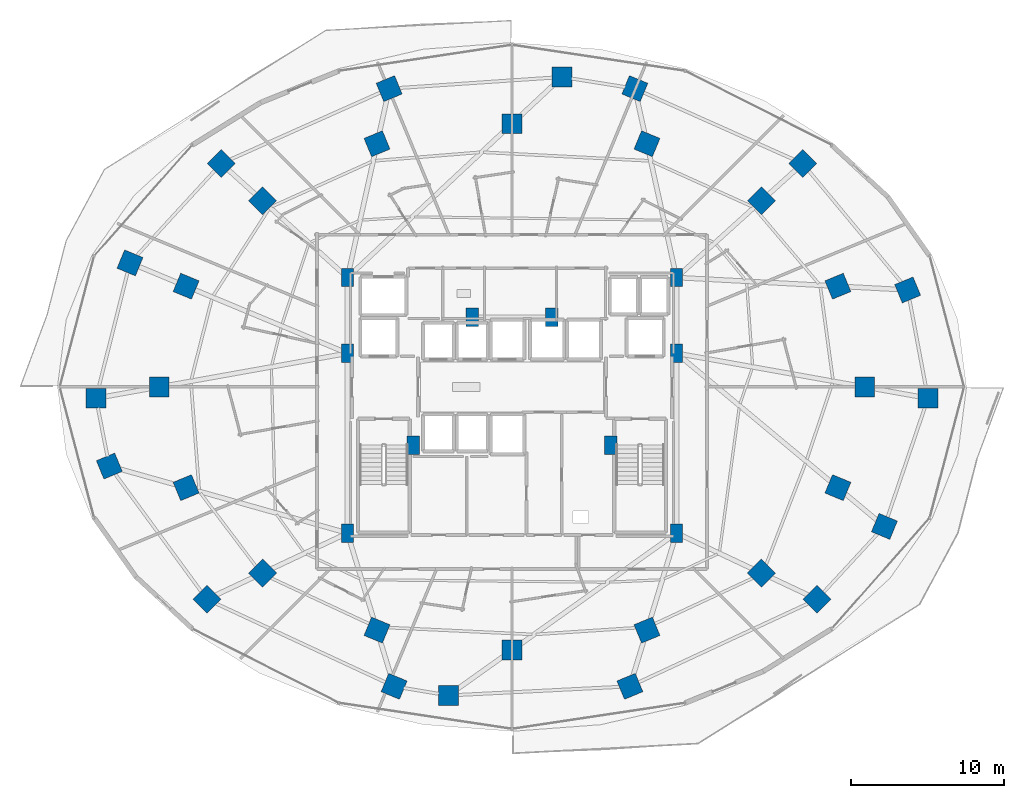
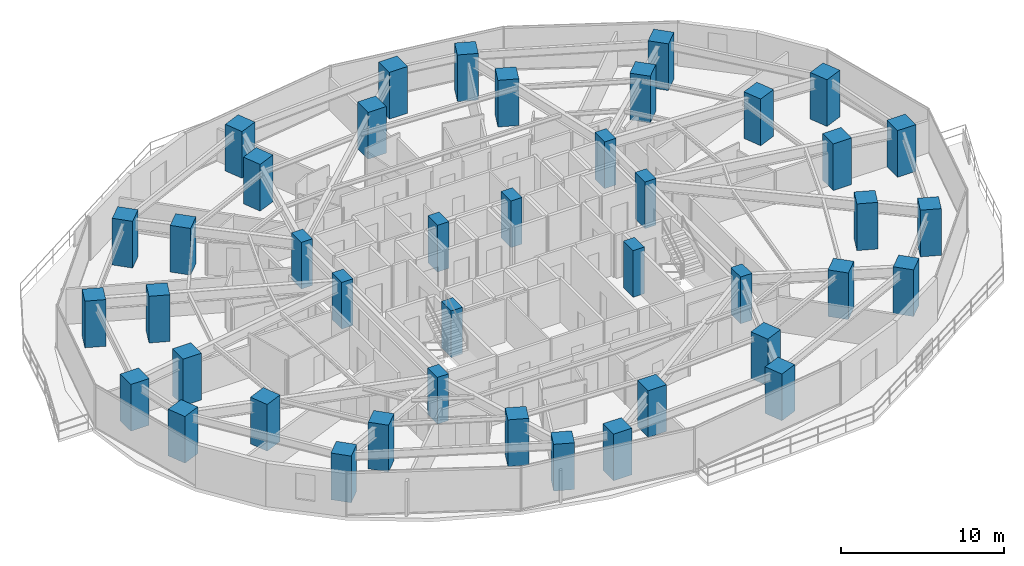
# One storey, part 1 of 34: 42 columns.
"""IFC4 building model written with IfcOpenShell, lengths in metres."""

import ifcopenshell
import ifcopenshell.guid

model = None  # the IFC model being written
_history = None  # IfcOwnerHistory: only IFC2X3 demands one
_inside = {}  # id of a spatial element -> (the spatial element, [elements in it])
_under = {}  # id of a project, library or spatial element -> (it, [spatial elements below it])
_declared = {}  # id of a project -> (the project, [libraries it declares])
_typed = {}  # id of a type object -> (the type object, [elements of that type])
_made_of = {}  # id of a material, layer set ... -> (it, [elements and type objects made of it])


def new_model(schema):
    """Start an empty IFC model of exactly this schema.

    Asked for "IFC4X3", IfcOpenShell would pick the latest addendum, in which some entities
    have other attributes; the version numbers below select the first issue.
    IFC2X3 requires an IfcOwnerHistory on every rooted entity: one is made here for all.
    """
    global model, _history
    if schema == "IFC4X3":
        model = ifcopenshell.file(schema_version=(4, 3, 0, 0))
    else:
        model = ifcopenshell.file(schema=schema)
    _inside.clear()
    _under.clear()
    _declared.clear()
    _typed.clear()
    _made_of.clear()
    _history = None
    if model.schema == "IFC2X3":
        org = make("IfcOrganization", Name="unknown")
        user = make(
            "IfcPersonAndOrganization",
            ThePerson=make("IfcPerson", FamilyName="unknown"),
            TheOrganization=org,
        )
        app = make(
            "IfcApplication",
            ApplicationDeveloper=org,
            Version="unknown",
            ApplicationFullName="unknown",
            ApplicationIdentifier="unknown",
        )
        _history = make(
            "IfcOwnerHistory",
            OwningUser=user,
            OwningApplication=app,
            ChangeAction="ADDED",
            CreationDate=0,
        )
    return model


def make(cls, **values):
    """One entity of the class cls with the attributes given. An attribute that is None is left unset."""
    return model.create_entity(
        cls, **{name: value for name, value in values.items() if value is not None}
    )


def rooted(cls, **values):
    """An entity with a GlobalId (a new one), such as an element, a storey or a relation."""
    return make(cls, GlobalId=ifcopenshell.guid.new(), OwnerHistory=_history, **values)


def si_unit(unit_type, name, prefix=None):
    """IfcSIUnit, for example si_unit("LENGTHUNIT", "METRE", prefix="MILLI")."""
    return make("IfcSIUnit", UnitType=unit_type, Prefix=prefix, Name=name)


def assignment(units):
    """IfcUnitAssignment: the units of a project."""
    return None if units is None else make("IfcUnitAssignment", Units=units)


def point(xyz):
    """IfcCartesianPoint."""
    return None if xyz is None else make("IfcCartesianPoint", Coordinates=xyz)


def direction(xyz):
    """IfcDirection."""
    return None if xyz is None else make("IfcDirection", DirectionRatios=xyz)


def frame(location, z_axis=None, x_axis=None):
    """IfcAxis2Placement3D, a coordinate frame: its origin and axes. An axis left out is left unset."""
    return make(
        "IfcAxis2Placement3D",
        Location=point(location),
        Axis=direction(z_axis),
        RefDirection=direction(x_axis),
    )


def frame_2d(location, x_axis=None):
    """IfcAxis2Placement2D, a coordinate frame in the plane: its origin and x axis."""
    return make(
        "IfcAxis2Placement2D", Location=point(location), RefDirection=direction(x_axis)
    )


def origin():
    """The frame at (0, 0, 0) with its axes left unset."""
    return frame((0.0, 0.0, 0.0))


def origin_2d():
    """The frame at (0, 0) in the plane with its x axis left unset."""
    return frame_2d((0.0, 0.0))


def place(relative_to, where):
    """IfcLocalPlacement: puts the frame where relative to a parent placement (None: the world)."""
    return make(
        "IfcLocalPlacement", PlacementRelTo=relative_to, RelativePlacement=where
    )


def context(
    kind, dimensions, precision=None, world=None, true_north=None, identifier=None
):
    """IfcGeometricRepresentationContext, for example the 3D "Model" context."""
    return make(
        "IfcGeometricRepresentationContext",
        ContextIdentifier=identifier,
        ContextType=kind,
        CoordinateSpaceDimension=dimensions,
        Precision=precision,
        WorldCoordinateSystem=world,
        TrueNorth=true_north,
    )


def subcontext(parent, identifier, kind, view, scale=None):
    """IfcGeometricRepresentationSubContext, for example "Body" below "Model"."""
    return make(
        "IfcGeometricRepresentationSubContext",
        ContextIdentifier=identifier,
        ContextType=kind,
        ParentContext=parent,
        TargetScale=scale,
        TargetView=view,
    )


def project(units=None, contexts=None):
    """IfcProject with its units and contexts."""
    return rooted(
        "IfcProject",
        Name="project",
        RepresentationContexts=contexts,
        UnitsInContext=assignment(units),
    )


def spatial(cls, under=None, at=None, **own):
    """A site, building, storey or space (cls), placed at a placement, below another one or the project."""
    s = rooted(cls, ObjectPlacement=at, **own)
    if under is not None:
        _under.setdefault(under.id(), (under, []))[1].append(s)
    return s


def profile(cls, at=None, kind="AREA", **sizes):
    """A parametric profile (cls). Its sizes go by their IFC names, for example OverallWidth=200.0."""
    return make(cls, ProfileType=kind, Position=at, **sizes)


def rectangle(**sizes):
    """IfcRectangleProfileDef."""
    return profile("IfcRectangleProfileDef", **sizes)


def extrude(swept, where, along, depth):
    """IfcExtrudedAreaSolid: the profile swept, set in the frame where, extruded along a direction by depth."""
    return make(
        "IfcExtrudedAreaSolid",
        SweptArea=swept,
        Position=where,
        ExtrudedDirection=direction(along),
        Depth=depth,
    )


def shape(context_of_items, identifier, shape_type, items):
    """IfcShapeRepresentation: the items that make up one representation, for example the "Body"."""
    return make(
        "IfcShapeRepresentation",
        ContextOfItems=context_of_items,
        RepresentationIdentifier=identifier,
        RepresentationType=shape_type,
        Items=items,
    )


def material(Name=None, Category=None):
    """IfcMaterial."""
    return make("IfcMaterial", Name=Name, Category=Category)


def material_profile(
    of_material, cross_section, Name=None, Category=None, Priority=None
):
    """IfcMaterialProfile: a cross section and its material."""
    return make(
        "IfcMaterialProfile",
        Name=Name,
        Material=of_material,
        Profile=cross_section,
        Priority=Priority,
        Category=Category,
    )


def profile_set(profiles, Name=None, composite=None):
    """IfcMaterialProfileSet."""
    return make(
        "IfcMaterialProfileSet",
        Name=Name,
        MaterialProfiles=profiles,
        CompositeProfile=composite,
    )


def made_of(thing, what):
    """Note that an element or type object is made of a material, layer set ...; save() writes the relation."""
    if what is not None:
        _made_of.setdefault(what.id(), (what, []))[1].append(thing)
    return thing


def type_object(cls, material=None, **own):
    """A type object (cls), such as IfcWallType, which elements share."""
    return made_of(rooted(cls, **own), material)


def element(
    cls,
    number,
    at=None,
    inside=None,
    cuts=None,
    type_object=None,
    material=None,
    context=None,
    identifier="Body",
    shape_type=None,
    held_by="IfcProductDefinitionShape",
    body=None,
    shapes=None,
    **own,
):
    """One element of the class cls, such as IfcWall. Its Tag is "e" and its number.

    at: its placement. inside: the storey or other place that contains it. cuts: it is an
    opening in that element (IfcRelVoidsElement). A single representation is given by context,
    identifier, shape_type and body (its items); several are given by shapes. held_by: the class
    of the entity that holds the representations. save() writes the other relations.
    """
    e = rooted(cls, Tag="e%d" % number, ObjectPlacement=at, **own)
    if body is not None:
        shapes = [shape(context, identifier, shape_type, body)]
    if shapes is not None:
        e.Representation = make(held_by, Representations=shapes)
    if inside is not None:
        _inside.setdefault(inside.id(), (inside, []))[1].append(e)
    if cuts is not None:
        rooted(
            "IfcRelVoidsElement", RelatingBuildingElement=cuts, RelatedOpeningElement=e
        )
    if type_object is not None:
        _typed.setdefault(type_object.id(), (type_object, []))[1].append(e)
    return made_of(e, material)


def aggregate(whole, parts):
    """IfcRelAggregates: a whole, such as a stair, and the parts it consists of."""
    return rooted("IfcRelAggregates", RelatingObject=whole, RelatedObjects=parts)


def save(model, path):
    """Write the relations noted so far, then the file.

    IfcRelAggregates (storeys below a building ...), IfcRelContainedInSpatialStructure (elements
    in a storey), IfcRelDefinesByType, IfcRelAssociatesMaterial and IfcRelDeclares: one each for
    every whole, place, type object, material and project.
    """
    for whole, parts in _under.values():
        aggregate(whole, parts)
    for where, things in _inside.values():
        rooted(
            "IfcRelContainedInSpatialStructure",
            RelatedElements=things,
            RelatingStructure=where,
        )
    for kind, things in _typed.values():
        rooted("IfcRelDefinesByType", RelatedObjects=things, RelatingType=kind)
    for what, things in _made_of.values():
        rooted("IfcRelAssociatesMaterial", RelatedObjects=things, RelatingMaterial=what)
    for by, libraries in _declared.values():
        rooted("IfcRelDeclares", RelatingContext=by, RelatedDefinitions=libraries)
    model.write(path)


model = new_model("IFC4")

# Units and contexts
model_context = context("Model", 3, precision=1e-05, world=origin(), true_north=direction((0.0, 1.0)))
body_context = subcontext(model_context, "Body", "Model", "MODEL_VIEW")
ifc_project = project(units=[si_unit("LENGTHUNIT", "METRE"), si_unit("AREAUNIT", "SQUARE_METRE"), si_unit("VOLUMEUNIT", "CUBIC_METRE"), si_unit("PLANEANGLEUNIT", "RADIAN"), si_unit("MASSUNIT", "GRAM", prefix="KILO")], contexts=[model_context])

# Site, building, storey
site_placement = place(None, origin())
site = spatial("IfcSite", under=ifc_project, at=site_placement, CompositionType="ELEMENT")
building_placement = place(site_placement, origin())
building = spatial("IfcBuilding", under=site, at=building_placement, Name="Vorneva Point Tower", CompositionType="ELEMENT")
storey_placement = place(building_placement, frame((0.0, 0.0, 31.0)))
storey = spatial("IfcBuildingStorey", under=building, at=storey_placement, Name="L07", CompositionType="ELEMENT", Elevation=31.0)

# Columns
ifc_material = material(Name="Concrete B60 (C50/60)", Category="concrete")
ifc_material_profile_1 = material_profile(ifc_material, rectangle(XDim=1.300048828125, YDim=1.300048828125, at=origin_2d()), Name="RC-COL 1300x1300")
ifc_profile_set_1 = profile_set([ifc_material_profile_1], Name="Concrete B60 (C50/60)")
column_type_1 = type_object("IfcColumnType", Name="COL-RC1300", PredefinedType="COLUMN", material=ifc_profile_set_1)
for number, where, z_axis, x_axis, name in (
    (1, (61.050048828125, 26.0, 0.0), (0.0, 0.0, 1.0), (1.0, 0.0, 0.0), "L07 Perimeter Column P01"),
    (2, (59.29541015625, 32.582275390625, 0.0), (0.0, 0.0, 1.0), (0.923879532511, 0.382683432365, 0.0), "L07 Perimeter Column P02"),
    (3, (54.298828125, 38.162109375, 0.0), (0.0, 0.0, 1.0), (0.707106781187, 0.707106781187, 0.0), "L07 Perimeter Column P03"),
    (4, (46.82080078125, 41.890625, 0.0), (0.0, 0.0, 1.0), (0.382683432365, 0.923879532511, 0.0), "L07 Perimeter Column P04"),
    (5, (38.0, 43.199951171875, 0.0), (0.0, 0.0, 1.0), (0.0, 1.0, 0.0), "L07 Perimeter Column P05"),
    (6, (29.17919921875, 41.890625, 0.0), (0.0, 0.0, 1.0), (-0.382683432365, 0.923879532511, 0.0), "L07 Perimeter Column P06"),
    (7, (21.701171875, 38.162109375, 0.0), (0.0, 0.0, 1.0), (-0.707106781187, 0.707106781187, 0.0), "L07 Perimeter Column P07"),
    (8, (16.70458984375, 32.582275390625, 0.0), (0.0, 0.0, 1.0), (-0.923879532511, 0.382683432365, 0.0), "L07 Perimeter Column P08"),
    (9, (14.949951171875, 26.0, 0.0), (0.0, 0.0, 1.0), (-1.0, 0.0, 0.0), "L07 Perimeter Column P09"),
    (10, (16.70458984375, 19.417724609375, 0.0), (0.0, 0.0, 1.0), (-0.923879532511, -0.382683432365, 0.0), "L07 Perimeter Column P10"),
    (11, (21.701171875, 13.837890625, 0.0), (0.0, 0.0, 1.0), (-0.707106781187, -0.707106781187, 0.0), "L07 Perimeter Column P11"),
    (12, (29.17919921875, 10.109375, 0.0), (0.0, 0.0, 1.0), (-0.382683432365, -0.923879532511, 0.0), "L07 Perimeter Column P12"),
    (13, (38.0, 8.800048828125, 0.0), (0.0, 0.0, 1.0), (0.0, -1.0, 0.0), "L07 Perimeter Column P13"),
    (14, (46.82080078125, 10.109375, 0.0), (0.0, 0.0, 1.0), (0.382683432365, -0.923879532511, 0.0), "L07 Perimeter Column P14"),
    (15, (54.298828125, 13.837890625, 0.0), (0.0, 0.0, 1.0), (0.707106781187, -0.707106781187, 0.0), "L07 Perimeter Column P15"),
    (16, (59.29541015625, 19.417724609375, 0.0), (0.0, 0.0, 1.0), (0.923879532511, -0.382683432365, 0.0), "L07 Perimeter Column P16"),
    (17, (65.18212890625, 25.260986328125, 0.0), (0.0, 0.0, 1.0), (1.0, 0.0, 0.0), "L07 Outer Zone Column OP01"),
    (18, (63.8544921875, 32.336669921875, 0.0), (0.0, 0.0, 1.0), (0.923879532511, 0.382683432365, 0.0), "L07 Outer Zone Column OP02"),
    (19, (56.997314453125, 40.599853515625, 0.0), (0.0, 0.0, 1.0), (0.707106781187, 0.707106781187, 0.0), "L07 Outer Zone Column OP03"),
    (20, (46.026123046875, 45.49169921875, 0.0), (0.0, 0.0, 1.0), (0.382683432365, 0.923879532511, 0.0), "L07 Outer Zone Column OP04"),
    (21, (41.26513671875, 46.25244140625, 0.0), (0.0, 0.0, 1.0), (0.0, 1.0, 0.0), "L07 Outer Zone Column OP05"),
    (22, (29.973876953125, 45.49169921875, 0.0), (0.0, 0.0, 1.0), (-0.382683432365, 0.923879532511, 0.0), "L07 Outer Zone Column OP06"),
    (23, (19.002685546875, 40.599853515625, 0.0), (0.0, 0.0, 1.0), (-0.707106781187, 0.707106781187, 0.0), "L07 Outer Zone Column OP07"),
    (24, (13.0390625, 34.10546875, 0.0), (0.0, 0.0, 1.0), (-0.923879532511, 0.382683432365, 0.0), "L07 Outer Zone Column OP08"),
    (25, (10.81787109375, 25.260986328125, 0.0), (0.0, 0.0, 1.0), (-1.0, 0.0, 0.0), "L07 Outer Zone Column OP09"),
    (26, (11.68798828125, 20.82958984375, 0.0), (0.0, 0.0, 1.0), (-0.923879532511, -0.382683432365, 0.0), "L07 Outer Zone Column OP10"),
    (27, (18.061279296875, 12.124267578125, 0.0), (0.0, 0.0, 1.0), (-0.707106781187, -0.707106781187, 0.0), "L07 Outer Zone Column OP11"),
    (28, (30.296875, 6.435302734375, 0.0), (0.0, 0.0, 1.0), (-0.382683432365, -0.923879532511, 0.0), "L07 Outer Zone Column OP12"),
    (29, (33.84033203125, 5.83984375, 0.0), (0.0, 0.0, 1.0), (0.0, -1.0, 0.0), "L07 Outer Zone Column OP13"),
    (30, (45.703125, 6.435302734375, 0.0), (0.0, 0.0, 1.0), (0.382683432365, -0.923879532511, 0.0), "L07 Outer Zone Column OP14"),
    (31, (57.938720703125, 12.124267578125, 0.0), (0.0, 0.0, 1.0), (0.707106781187, -0.707106781187, 0.0), "L07 Outer Zone Column OP15"),
    (32, (62.3349609375, 16.886474609375, 0.0), (0.0, 0.0, 1.0), (0.923879532511, -0.382683432365, 0.0), "L07 Outer Zone Column OP16"),
):
    element("IfcColumn", number, at=place(storey_placement, frame(where, z_axis=z_axis, x_axis=x_axis)), inside=storey, type_object=column_type_1, Name=name, PredefinedType="COLUMN", context=body_context, shape_type="SweptSolid", body=[
        extrude(rectangle(XDim=1.300048828125, YDim=1.300048828125, at=origin_2d()), origin(), (0.0, 0.0, 1.0), 3.5),
    ])
ifc_material_profile_2 = material_profile(ifc_material, rectangle(XDim=0.800048828125, YDim=1.199951171875, at=origin_2d()), Name="RC-PIL 1200x800")
ifc_profile_set_2 = profile_set([ifc_material_profile_2], Name="Concrete B60 (C50/60)")
column_type_2 = type_object("IfcColumnType", Name="PIL-RC1200x800", PredefinedType="PILASTER", material=ifc_profile_set_2)
for number, where, z_axis, x_axis, name in (
    (33, (27.25, 16.449951171875, 0.0), (0.0, 0.0, 1.0), (1.0, 0.0, 0.0), "L07 Core Pilaster CP1"),
    (34, (27.25, 28.199951171875, 0.0), (0.0, 0.0, 1.0), (1.0, 0.0, 0.0), "L07 Core Pilaster CP2"),
    (35, (27.25, 33.14990234375, 0.0), (0.0, 0.0, 1.0), (1.0, 0.0, 0.0), "L07 Core Pilaster CP3"),
    (36, (31.550048828125, 22.199951171875, 0.0), (0.0, 0.0, 1.0), (1.0, 0.0, 0.0), "L07 Core Pilaster CP4"),
    (37, (48.75, 33.14990234375, 0.0), (0.0, 0.0, 1.0), (1.0, 0.0, 0.0), "L07 Core Pilaster CP5"),
    (38, (48.75, 28.199951171875, 0.0), (0.0, 0.0, 1.0), (1.0, 0.0, 0.0), "L07 Core Pilaster CP6"),
    (39, (48.75, 16.449951171875, 0.0), (0.0, 0.0, 1.0), (1.0, 0.0, 0.0), "L07 Core Pilaster CP7"),
    (40, (44.449951171875, 22.199951171875, 0.0), (0.0, 0.0, 1.0), (1.0, 0.0, 0.0), "L07 Core Pilaster CP8"),
    (41, (35.39990234375, 30.550048828125, 0.0), (0.0, 0.0, 1.0), (1.0, 0.0, 0.0), "L07 Core Pilaster CP9"),
    (42, (40.60009765625, 30.550048828125, 0.0), (0.0, 0.0, 1.0), (1.0, 0.0, 0.0), "L07 Core Pilaster CP10"),
):
    element("IfcColumn", number, at=place(storey_placement, frame(where, z_axis=z_axis, x_axis=x_axis)), inside=storey, type_object=column_type_2, Name=name, PredefinedType="PILASTER", context=body_context, shape_type="SweptSolid", body=[
        extrude(rectangle(XDim=0.800048828125, YDim=1.199951171875, at=origin_2d()), origin(), (0.0, 0.0, 1.0), 3.5),
    ])

save(model, "model.ifc")
